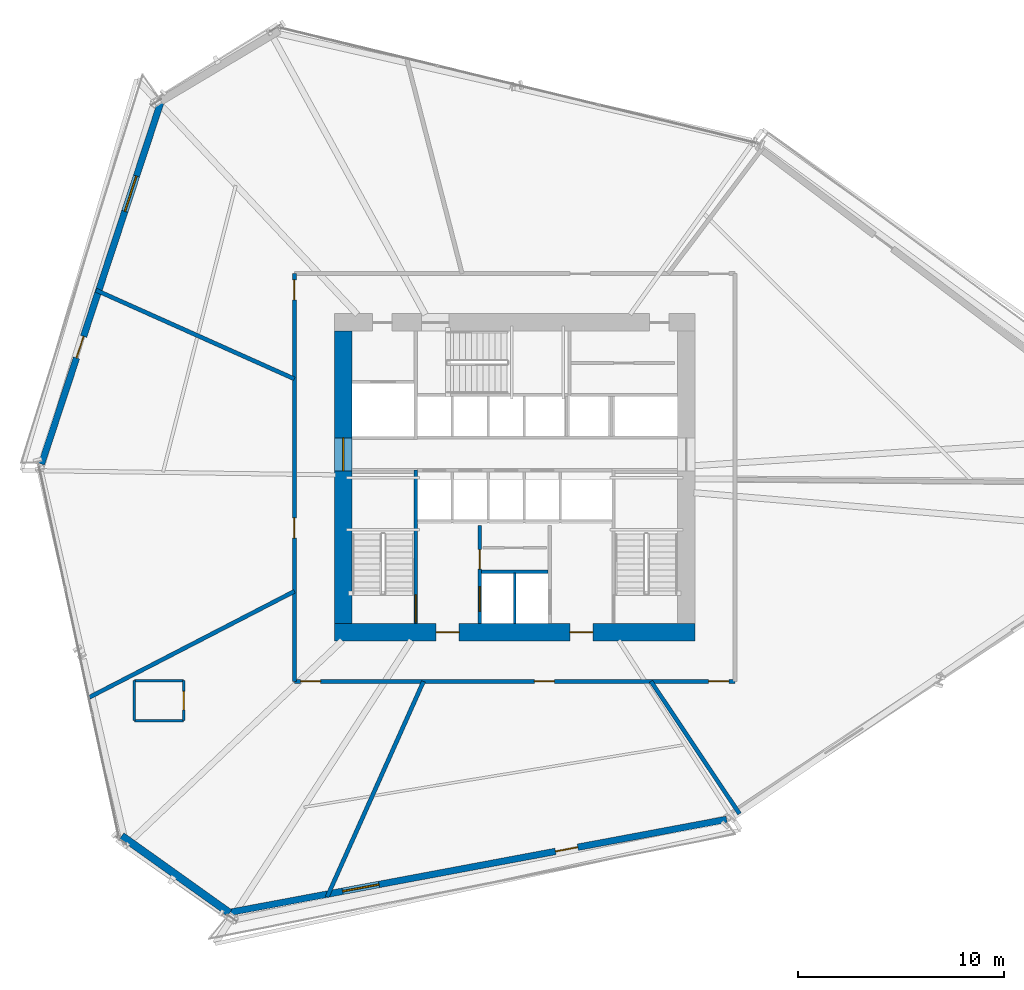
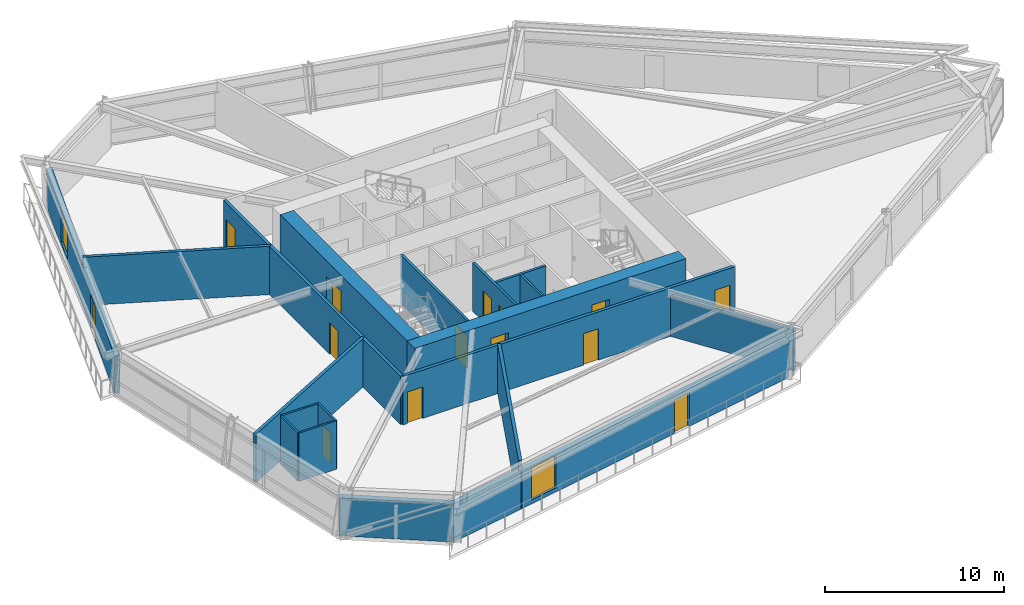
# One storey, part 18 of 24: 19 walls, 14 doors, 2 windows, 16 openings.
"""IFC4 building model written with IfcOpenShell, lengths in metres."""

import ifcopenshell
import ifcopenshell.guid

model = None  # the IFC model being written
_history = None  # IfcOwnerHistory: only IFC2X3 demands one
_inside = {}  # id of a spatial element -> (the spatial element, [elements in it])
_under = {}  # id of a project, library or spatial element -> (it, [spatial elements below it])
_declared = {}  # id of a project -> (the project, [libraries it declares])
_typed = {}  # id of a type object -> (the type object, [elements of that type])
_made_of = {}  # id of a material, layer set ... -> (it, [elements and type objects made of it])


def new_model(schema):
    """Start an empty IFC model of exactly this schema.

    Asked for "IFC4X3", IfcOpenShell would pick the latest addendum, in which some entities
    have other attributes; the version numbers below select the first issue.
    IFC2X3 requires an IfcOwnerHistory on every rooted entity: one is made here for all.
    """
    global model, _history
    if schema == "IFC4X3":
        model = ifcopenshell.file(schema_version=(4, 3, 0, 0))
    else:
        model = ifcopenshell.file(schema=schema)
    _inside.clear()
    _under.clear()
    _declared.clear()
    _typed.clear()
    _made_of.clear()
    _history = None
    if model.schema == "IFC2X3":
        org = make("IfcOrganization", Name="unknown")
        user = make(
            "IfcPersonAndOrganization",
            ThePerson=make("IfcPerson", FamilyName="unknown"),
            TheOrganization=org,
        )
        app = make(
            "IfcApplication",
            ApplicationDeveloper=org,
            Version="unknown",
            ApplicationFullName="unknown",
            ApplicationIdentifier="unknown",
        )
        _history = make(
            "IfcOwnerHistory",
            OwningUser=user,
            OwningApplication=app,
            ChangeAction="ADDED",
            CreationDate=0,
        )
    return model


def make(cls, **values):
    """One entity of the class cls with the attributes given. An attribute that is None is left unset."""
    return model.create_entity(
        cls, **{name: value for name, value in values.items() if value is not None}
    )


def rooted(cls, **values):
    """An entity with a GlobalId (a new one), such as an element, a storey or a relation."""
    return make(cls, GlobalId=ifcopenshell.guid.new(), OwnerHistory=_history, **values)


def si_unit(unit_type, name, prefix=None):
    """IfcSIUnit, for example si_unit("LENGTHUNIT", "METRE", prefix="MILLI")."""
    return make("IfcSIUnit", UnitType=unit_type, Prefix=prefix, Name=name)


def assignment(units):
    """IfcUnitAssignment: the units of a project."""
    return None if units is None else make("IfcUnitAssignment", Units=units)


def point(xyz):
    """IfcCartesianPoint."""
    return None if xyz is None else make("IfcCartesianPoint", Coordinates=xyz)


def direction(xyz):
    """IfcDirection."""
    return None if xyz is None else make("IfcDirection", DirectionRatios=xyz)


def frame(location, z_axis=None, x_axis=None):
    """IfcAxis2Placement3D, a coordinate frame: its origin and axes. An axis left out is left unset."""
    return make(
        "IfcAxis2Placement3D",
        Location=point(location),
        Axis=direction(z_axis),
        RefDirection=direction(x_axis),
    )


def frame_2d(location, x_axis=None):
    """IfcAxis2Placement2D, a coordinate frame in the plane: its origin and x axis."""
    return make(
        "IfcAxis2Placement2D", Location=point(location), RefDirection=direction(x_axis)
    )


def origin():
    """The frame at (0, 0, 0) with its axes left unset."""
    return frame((0.0, 0.0, 0.0))


def place(relative_to, where):
    """IfcLocalPlacement: puts the frame where relative to a parent placement (None: the world)."""
    return make(
        "IfcLocalPlacement", PlacementRelTo=relative_to, RelativePlacement=where
    )


def context(
    kind, dimensions, precision=None, world=None, true_north=None, identifier=None
):
    """IfcGeometricRepresentationContext, for example the 3D "Model" context."""
    return make(
        "IfcGeometricRepresentationContext",
        ContextIdentifier=identifier,
        ContextType=kind,
        CoordinateSpaceDimension=dimensions,
        Precision=precision,
        WorldCoordinateSystem=world,
        TrueNorth=true_north,
    )


def subcontext(parent, identifier, kind, view, scale=None):
    """IfcGeometricRepresentationSubContext, for example "Body" below "Model"."""
    return make(
        "IfcGeometricRepresentationSubContext",
        ContextIdentifier=identifier,
        ContextType=kind,
        ParentContext=parent,
        TargetScale=scale,
        TargetView=view,
    )


def project(units=None, contexts=None):
    """IfcProject with its units and contexts."""
    return rooted(
        "IfcProject",
        Name="project",
        RepresentationContexts=contexts,
        UnitsInContext=assignment(units),
    )


def spatial(cls, under=None, at=None, **own):
    """A site, building, storey or space (cls), placed at a placement, below another one or the project."""
    s = rooted(cls, ObjectPlacement=at, **own)
    if under is not None:
        _under.setdefault(under.id(), (under, []))[1].append(s)
    return s


def profile(cls, at=None, kind="AREA", **sizes):
    """A parametric profile (cls). Its sizes go by their IFC names, for example OverallWidth=200.0."""
    return make(cls, ProfileType=kind, Position=at, **sizes)


def rectangle(**sizes):
    """IfcRectangleProfileDef."""
    return profile("IfcRectangleProfileDef", **sizes)


def extrude(swept, where, along, depth):
    """IfcExtrudedAreaSolid: the profile swept, set in the frame where, extruded along a direction by depth."""
    return make(
        "IfcExtrudedAreaSolid",
        SweptArea=swept,
        Position=where,
        ExtrudedDirection=direction(along),
        Depth=depth,
    )


def shape(context_of_items, identifier, shape_type, items):
    """IfcShapeRepresentation: the items that make up one representation, for example the "Body"."""
    return make(
        "IfcShapeRepresentation",
        ContextOfItems=context_of_items,
        RepresentationIdentifier=identifier,
        RepresentationType=shape_type,
        Items=items,
    )


def source(mapping_origin, context_of_items, identifier, shape_type, items):
    """IfcRepresentationMap: a shape defined once, which mapped items show again and again."""
    return make(
        "IfcRepresentationMap",
        MappingOrigin=mapping_origin,
        MappedRepresentation=shape(context_of_items, identifier, shape_type, items),
    )


def transform(
    local_origin,
    x_axis=None,
    y_axis=None,
    z_axis=None,
    scale=None,
    scale2=None,
    scale3=None,
    uniform=True,
):
    """IfcCartesianTransformationOperator3D, or its non-uniform kind. x_axis, y_axis, z_axis: its Axis1, 2, 3."""
    if uniform:
        return make(
            "IfcCartesianTransformationOperator3D",
            Axis1=direction(x_axis),
            Axis2=direction(y_axis),
            LocalOrigin=point(local_origin),
            Scale=scale,
            Axis3=direction(z_axis),
        )
    return make(
        "IfcCartesianTransformationOperator3DnonUniform",
        Axis1=direction(x_axis),
        Axis2=direction(y_axis),
        LocalOrigin=point(local_origin),
        Scale=scale,
        Axis3=direction(z_axis),
        Scale2=scale2,
        Scale3=scale3,
    )


def mapped(mapping_source, mapping_target):
    """IfcMappedItem: shows the shape of a source again, moved by a transform."""
    return make(
        "IfcMappedItem", MappingSource=mapping_source, MappingTarget=mapping_target
    )


def material(Name=None, Category=None):
    """IfcMaterial."""
    return make("IfcMaterial", Name=Name, Category=Category)


def layer(
    of_material, thickness, ventilated=None, Name=None, Category=None, Priority=None
):
    """IfcMaterialLayer: one layer of a wall or slab, of a material (None: an air gap)."""
    return make(
        "IfcMaterialLayer",
        Material=of_material,
        LayerThickness=thickness,
        IsVentilated=ventilated,
        Name=Name,
        Category=Category,
        Priority=Priority,
    )


def layer_set(layers, Name=None):
    """IfcMaterialLayerSet."""
    return make("IfcMaterialLayerSet", MaterialLayers=layers, LayerSetName=Name)


def made_of(thing, what):
    """Note that an element or type object is made of a material, layer set ...; save() writes the relation."""
    if what is not None:
        _made_of.setdefault(what.id(), (what, []))[1].append(thing)
    return thing


def type_object(cls, material=None, **own):
    """A type object (cls), such as IfcWallType, which elements share."""
    return made_of(rooted(cls, **own), material)


def type_shapes(of_type, sources):
    """Give a type object the sources (RepresentationMaps) that its elements show as mapped items."""
    of_type.RepresentationMaps = sources


def element(
    cls,
    number,
    at=None,
    inside=None,
    cuts=None,
    type_object=None,
    material=None,
    context=None,
    identifier="Body",
    shape_type=None,
    held_by="IfcProductDefinitionShape",
    body=None,
    shapes=None,
    **own,
):
    """One element of the class cls, such as IfcWall. Its Tag is "e" and its number.

    at: its placement. inside: the storey or other place that contains it. cuts: it is an
    opening in that element (IfcRelVoidsElement). A single representation is given by context,
    identifier, shape_type and body (its items); several are given by shapes. held_by: the class
    of the entity that holds the representations. save() writes the other relations.
    """
    e = rooted(cls, Tag="e%d" % number, ObjectPlacement=at, **own)
    if body is not None:
        shapes = [shape(context, identifier, shape_type, body)]
    if shapes is not None:
        e.Representation = make(held_by, Representations=shapes)
    if inside is not None:
        _inside.setdefault(inside.id(), (inside, []))[1].append(e)
    if cuts is not None:
        rooted(
            "IfcRelVoidsElement", RelatingBuildingElement=cuts, RelatedOpeningElement=e
        )
    if type_object is not None:
        _typed.setdefault(type_object.id(), (type_object, []))[1].append(e)
    return made_of(e, material)


def fill(opening, filler):
    """IfcRelFillsElement: the door or window that sits in an opening."""
    return rooted(
        "IfcRelFillsElement",
        RelatingOpeningElement=opening,
        RelatedBuildingElement=filler,
    )


def aggregate(whole, parts):
    """IfcRelAggregates: a whole, such as a stair, and the parts it consists of."""
    return rooted("IfcRelAggregates", RelatingObject=whole, RelatedObjects=parts)


def save(model, path):
    """Write the relations noted so far, then the file.

    IfcRelAggregates (storeys below a building ...), IfcRelContainedInSpatialStructure (elements
    in a storey), IfcRelDefinesByType, IfcRelAssociatesMaterial and IfcRelDeclares: one each for
    every whole, place, type object, material and project.
    """
    for whole, parts in _under.values():
        aggregate(whole, parts)
    for where, things in _inside.values():
        rooted(
            "IfcRelContainedInSpatialStructure",
            RelatedElements=things,
            RelatingStructure=where,
        )
    for kind, things in _typed.values():
        rooted("IfcRelDefinesByType", RelatedObjects=things, RelatingType=kind)
    for what, things in _made_of.values():
        rooted("IfcRelAssociatesMaterial", RelatedObjects=things, RelatingMaterial=what)
    for by, libraries in _declared.values():
        rooted("IfcRelDeclares", RelatingContext=by, RelatedDefinitions=libraries)
    model.write(path)


model = new_model("IFC4")

# Units and contexts
model_context = context("Model", 3, precision=1e-05, world=origin(), true_north=direction((0.0, 1.0)))
body_context = subcontext(model_context, "Body", "Model", "MODEL_VIEW")
ifc_project = project(units=[si_unit("LENGTHUNIT", "METRE"), si_unit("AREAUNIT", "SQUARE_METRE"), si_unit("VOLUMEUNIT", "CUBIC_METRE"), si_unit("PLANEANGLEUNIT", "RADIAN"), si_unit("MASSUNIT", "GRAM", prefix="KILO")], contexts=[model_context])

# Site, building, storey
site_placement = place(None, origin())
site = spatial("IfcSite", under=ifc_project, at=site_placement, CompositionType="ELEMENT")
building_placement = place(site_placement, origin())
building = spatial("IfcBuilding", under=site, at=building_placement, Name="Olszyna Solenne Hotel", CompositionType="ELEMENT")
storey_placement = place(building_placement, frame((0.0, 0.0, 29.300048828125)))
storey = spatial("IfcBuildingStorey", under=building, at=storey_placement, Name="L06", CompositionType="ELEMENT", Elevation=29.300048828125)

# Wall, openings, doors
ifc_material_1 = material(Name="Concrete C60/75", Category="concrete")
ifc_layer_1 = layer(ifc_material_1, 0.85009765625, Name="Concrete C60/75")
ifc_layer_set_1 = layer_set([ifc_layer_1], Name="Concrete C60/75")
wall_type_1 = type_object("IfcWallType", Name="WL-CR850", PredefinedType="SHEAR", material=ifc_layer_set_1)
wall_1_placement = place(storey_placement, frame((46.75, 19.074951171875, 0.0), z_axis=(0.0, 0.0, 1.0), x_axis=(-1.0, 0.0, 0.0)))
wall_1 = element("IfcWall", 1, at=wall_1_placement, inside=storey, type_object=wall_type_1, Name="Core shear wall WL-CR850 CRW-L06-S", PredefinedType="SHEAR", context=body_context, shape_type="SweptSolid", body=[
    extrude(rectangle(XDim=17.5, YDim=0.85009765625, at=frame_2d((8.75, 0.0))), origin(), (0.0, 0.0, 1.0), 3.300048828125),
])
opening_1_placement = place(wall_1_placement, frame((4.949951171875, 0.0, 0.0)))
opening_1 = element("IfcOpeningElement", 2, at=opening_1_placement, cuts=wall_1, Name="Opening FL-L06-1", PredefinedType="OPENING", context=body_context, shape_type="SweptSolid", body=[
    extrude(rectangle(XDim=1.1201171875, YDim=2.25, at=frame_2d((0.56005859375, 1.125))), frame((0.0, 0.43505859375, 0.0), z_axis=(0.0, -1.0, 0.0), x_axis=(1.0, 0.0, 0.0)), (0.0, 0.0, 1.0), 0.8701171875),
])
opening_2_placement = place(wall_1_placement, frame((11.449951171875, 0.0, 0.0)))
opening_2 = element("IfcOpeningElement", 3, at=opening_2_placement, cuts=wall_1, Name="Opening FL-L06-2", PredefinedType="OPENING", context=body_context, shape_type="SweptSolid", body=[
    extrude(rectangle(XDim=1.1201171875, YDim=2.25, at=frame_2d((0.56005859375, 1.125))), frame((0.0, 0.43505859375, 0.0), z_axis=(0.0, -1.0, 0.0), x_axis=(1.0, 0.0, 0.0)), (0.0, 0.0, 1.0), 0.8701171875),
])
ifc_material_2 = material(Name="Steel S355J2", Category="steel")
door_type_1 = type_object("IfcDoorType", Name="DR-FL1", OperationType="NOTDEFINED", PredefinedType="DOOR", material=ifc_material_2)
shared_shape_1 = source(origin(), body_context, "Body", "SweptSolid", [
    extrude(rectangle(XDim=1.1201171875, YDim=2.25, at=frame_2d((0.56005859375, 1.125))), frame((0.0, 0.02490234375, 0.0), z_axis=(0.0, -1.0, 0.0), x_axis=(1.0, 0.0, 0.0)), (0.0, 0.0, 1.0), 0.050048828125),
])
type_shapes(door_type_1, [shared_shape_1])
door_1_placement = place(opening_1_placement, origin())
door_1 = element("IfcDoor", 4, at=door_1_placement, inside=storey, type_object=door_type_1, Name="Firefighting lift lobby smoke door FL-L06-1", OperationType="SINGLE_SWING_LEFT", OverallHeight=2.25, OverallWidth=1.1201171875, PredefinedType="DOOR", context=body_context, shape_type="MappedRepresentation", body=[
    mapped(shared_shape_1, transform((0.0, 0.0, 0.0), x_axis=(1.0, 0.0, 0.0), y_axis=(0.0, 1.0, 0.0), z_axis=(0.0, 0.0, 1.0), scale=1.0)),
])
fill(opening_1, door_1)
door_2_placement = place(opening_2_placement, origin())
door_2 = element("IfcDoor", 5, at=door_2_placement, inside=storey, type_object=door_type_1, Name="Firefighting lift lobby smoke door FL-L06-2", OperationType="SINGLE_SWING_RIGHT", OverallHeight=2.25, OverallWidth=1.1201171875, PredefinedType="DOOR", context=body_context, shape_type="MappedRepresentation", body=[
    mapped(shared_shape_1, transform((0.0, 0.0, 0.0), x_axis=(1.0, 0.0, 0.0), y_axis=(0.0, 1.0, 0.0), z_axis=(0.0, 0.0, 1.0), scale=1.0)),
])
fill(opening_2, door_2)

# Wall, opening, door
wall_2_placement = place(storey_placement, frame((29.675048828125, 19.5, 0.0), z_axis=(0.0, 0.0, 1.0), x_axis=(0.0, 1.0, 0.0)))
wall_2 = element("IfcWall", 6, at=wall_2_placement, inside=storey, type_object=wall_type_1, Name="Core shear wall WL-CR850 CRW-L06-W", PredefinedType="SHEAR", context=body_context, shape_type="SweptSolid", body=[
    extrude(rectangle(XDim=14.199951171875, YDim=0.85009765625, at=frame_2d((7.10009765625, 0.0))), origin(), (0.0, 0.0, 1.0), 3.300048828125),
])
opening_3_placement = place(wall_2_placement, frame((7.419921875, 0.0, 0.0)))
opening_3 = element("IfcOpeningElement", 7, at=opening_3_placement, cuts=wall_2, Name="Opening LHD-L06-W", PredefinedType="OPENING", context=body_context, shape_type="SweptSolid", body=[
    extrude(rectangle(XDim=1.60009765625, YDim=2.199951171875, at=frame_2d((0.800048828125, 1.10009765625))), frame((0.0, 0.43505859375, 0.0), z_axis=(0.0, -1.0, 0.0), x_axis=(1.0, 0.0, 0.0)), (0.0, 0.0, 1.0), 0.8701171875),
])
ifc_material_3 = material(Name="Timber hardwood", Category="wood")
door_type_2 = type_object("IfcDoorType", Name="DR-CR1", OperationType="DOUBLE_DOOR_SINGLE_SWING", PredefinedType="DOOR", material=ifc_material_3)
shared_shape_2 = source(origin(), body_context, "Body", "SweptSolid", [
    extrude(rectangle(XDim=1.60009765625, YDim=2.199951171875, at=frame_2d((0.800048828125, 1.10009765625))), frame((0.0, 0.02490234375, 0.0), z_axis=(0.0, -1.0, 0.0), x_axis=(1.0, 0.0, 0.0)), (0.0, 0.0, 1.0), 0.050048828125),
])
type_shapes(door_type_2, [shared_shape_2])
door_3_placement = place(opening_3_placement, origin())
door_3 = element("IfcDoor", 8, at=door_3_placement, inside=storey, type_object=door_type_2, Name="Passenger lift lobby West fire door LHD-L06-W", OperationType="DOUBLE_DOOR_SINGLE_SWING", OverallHeight=2.199951171875, OverallWidth=1.60009765625, PredefinedType="DOOR", context=body_context, shape_type="MappedRepresentation", body=[
    mapped(shared_shape_2, transform((0.0, 0.0, 0.0), x_axis=(1.0, 0.0, 0.0), y_axis=(0.0, 1.0, 0.0), z_axis=(0.0, 0.0, 1.0), scale=1.0)),
])
fill(opening_3, door_3)

# Wall, openings, door, window
ifc_material_4 = material(Name="Precast concrete C45/55", Category="concrete")
ifc_layer_2 = layer(ifc_material_4, 0.320068359375, Name="Precast concrete C45/55")
ifc_layer_set_2 = layer_set([ifc_layer_2], Name="Precast concrete C45/55")
wall_type_2 = type_object("IfcWallType", Name="WL-EX320", PredefinedType="SOLIDWALL", material=ifc_layer_set_2)
wall_3_placement = place(storey_placement, frame((48.289306640625, 9.999755859375, 0.0), z_axis=(0.0, 0.0, 1.0), x_axis=(-0.9829231884, -0.184016319129, 0.0)))
wall_3 = element("IfcWall", 9, at=wall_3_placement, inside=storey, type_object=wall_type_2, Name="Exterior terracotta-precast frame wall WL-EX320 EW-L06-01", PredefinedType="SOLIDWALL", context=body_context, shape_type="SweptSolid", body=[
    extrude(rectangle(XDim=24.693115234375, YDim=0.320068359375, at=frame_2d((12.3466796875, 0.0))), origin(), (0.0, 0.0, 1.0), 2.592041015625),
])
opening_4_placement = place(wall_3_placement, frame((7.35205078125, 0.0, 0.0)))
opening_4 = element("IfcOpeningElement", 10, at=opening_4_placement, cuts=wall_3, Name="Opening LDG-L06-3", PredefinedType="OPENING", context=body_context, shape_type="SweptSolid", body=[
    extrude(rectangle(XDim=1.10009765625, YDim=2.300048828125, at=frame_2d((0.550048828125, 1.14990234375))), frame((0.0, 0.169921875, 0.0), z_axis=(0.0, -1.0, 0.0), x_axis=(1.0, 0.0, 0.0)), (0.0, 0.0, 1.0), 0.340087890625),
])
opening_5_placement = place(wall_3_placement, frame((17.173095703125, 0.0, 0.27197265625)))
opening_5 = element("IfcOpeningElement", 11, at=opening_5_placement, cuts=wall_3, Name="Opening WN-L06-021", PredefinedType="OPENING", context=body_context, shape_type="SweptSolid", body=[
    extrude(rectangle(XDim=1.800048828125, YDim=2.199951171875, at=frame_2d((0.89990234375, 1.10009765625))), frame((0.0, 0.169921875, 0.0), z_axis=(0.0, -1.0, 0.0), x_axis=(1.0, 0.0, 0.0)), (0.0, 0.0, 1.0), 0.340087890625),
])
ifc_material_5 = material(Name="Anodised bronze aluminium", Category="aluminium")
door_type_3 = type_object("IfcDoorType", Name="DR-LG1", OperationType="NOTDEFINED", PredefinedType="DOOR", material=ifc_material_5)
shared_shape_3 = source(origin(), body_context, "Body", "SweptSolid", [
    extrude(rectangle(XDim=1.10009765625, YDim=2.300048828125, at=frame_2d((0.550048828125, 1.14990234375))), frame((0.0, 0.02490234375, 0.0), z_axis=(0.0, -1.0, 0.0), x_axis=(1.0, 0.0, 0.0)), (0.0, 0.0, 1.0), 0.050048828125),
])
type_shapes(door_type_3, [shared_shape_3])
door_4_placement = place(opening_4_placement, origin())
door_4 = element("IfcDoor", 12, at=door_4_placement, inside=storey, type_object=door_type_3, Name="Exterior loggia balcony door DR-LG1 LDG-L06-3", OperationType="SINGLE_SWING_RIGHT", OverallHeight=2.300048828125, OverallWidth=1.10009765625, PredefinedType="DOOR", context=body_context, shape_type="MappedRepresentation", body=[
    mapped(shared_shape_3, transform((0.0, 0.0, 0.0), x_axis=(1.0, 0.0, 0.0), y_axis=(0.0, 1.0, 0.0), z_axis=(0.0, 0.0, 1.0), scale=1.0)),
])
fill(opening_4, door_4)
ifc_material_6 = material(Name="Low-E triple glazing", Category="glass")
window_type = type_object("IfcWindowType", Name="WN-HT1", PartitioningType="SINGLE_PANEL", PredefinedType="WINDOW", material=ifc_material_6)
shared_shape_4 = source(origin(), body_context, "Body", "SweptSolid", [
    extrude(rectangle(XDim=1.800048828125, YDim=2.199951171875, at=frame_2d((0.89990234375, 1.10009765625))), frame((0.0, 0.030029296875, 0.0), z_axis=(0.0, -1.0, 0.0), x_axis=(1.0, 0.0, 0.0)), (0.0, 0.0, 1.0), 0.06005859375),
])
type_shapes(window_type, [shared_shape_4])
window_1_placement = place(opening_5_placement, origin())
window_1 = element("IfcWindow", 13, at=window_1_placement, inside=storey, type_object=window_type, Name="Loggia room window WN-HT1 WN-L06-021", OverallHeight=2.199951171875, OverallWidth=1.800048828125, PartitioningType="SINGLE_PANEL", PredefinedType="WINDOW", context=body_context, shape_type="MappedRepresentation", body=[
    mapped(shared_shape_4, transform((0.0, 0.0, 0.0), x_axis=(1.0, 0.0, 0.0), y_axis=(0.0, 1.0, 0.0), z_axis=(0.0, 0.0, 1.0), scale=1.0)),
])
fill(opening_5, window_1)

wall_4_placement = place(storey_placement, frame((15.022705078125, 27.24951171875, 0.0), z_axis=(0.0, 0.0, 1.0), x_axis=(0.313250403321, 0.94967056647, 0.0)))
wall_4 = element("IfcWall", 14, at=wall_4_placement, inside=storey, type_object=wall_type_2, Name="Exterior terracotta-precast frame wall WL-EX320 EW-L06-04", PredefinedType="SOLIDWALL", context=body_context, shape_type="SweptSolid", body=[
    extrude(rectangle(XDim=18.680908203125, YDim=0.320068359375, at=frame_2d((9.34033203125, 0.0))), origin(), (0.0, 0.0, 1.0), 2.592041015625),
])
opening_6_placement = place(wall_4_placement, frame((5.427978515625, 0.0, 0.0)))
opening_6 = element("IfcOpeningElement", 15, at=opening_6_placement, cuts=wall_4, Name="Opening LDG-L06-2", PredefinedType="OPENING", context=body_context, shape_type="SweptSolid", body=[
    extrude(rectangle(XDim=1.10009765625, YDim=2.300048828125, at=frame_2d((0.550048828125, 1.14990234375))), frame((0.0, 0.169921875, 0.0), z_axis=(0.0, -1.0, 0.0), x_axis=(1.0, 0.0, 0.0)), (0.0, 0.0, 1.0), 0.340087890625),
])
opening_7_placement = place(wall_4_placement, frame((12.924072265625, 0.0, 0.27197265625)))
opening_7 = element("IfcOpeningElement", 16, at=opening_7_placement, cuts=wall_4, Name="Opening WN-L06-022", PredefinedType="OPENING", context=body_context, shape_type="SweptSolid", body=[
    extrude(rectangle(XDim=1.800048828125, YDim=2.199951171875, at=frame_2d((0.89990234375, 1.10009765625))), frame((0.0, 0.169921875, 0.0), z_axis=(0.0, -1.0, 0.0), x_axis=(1.0, 0.0, 0.0)), (0.0, 0.0, 1.0), 0.340087890625),
])
door_5_placement = place(opening_6_placement, origin())
door_5 = element("IfcDoor", 17, at=door_5_placement, inside=storey, type_object=door_type_3, Name="Exterior loggia balcony door DR-LG1 LDG-L06-2", OperationType="SINGLE_SWING_LEFT", OverallHeight=2.300048828125, OverallWidth=1.10009765625, PredefinedType="DOOR", context=body_context, shape_type="MappedRepresentation", body=[
    mapped(shared_shape_3, transform((0.0, 0.0, 0.0), x_axis=(1.0, 0.0, 0.0), y_axis=(0.0, 1.0, 0.0), z_axis=(0.0, 0.0, 1.0), scale=1.0)),
])
fill(opening_6, door_5)
window_2_placement = place(opening_7_placement, origin())
window_2 = element("IfcWindow", 18, at=window_2_placement, inside=storey, type_object=window_type, Name="Loggia room window WN-HT1 WN-L06-022", OverallHeight=2.199951171875, OverallWidth=1.800048828125, PartitioningType="SINGLE_PANEL", PredefinedType="WINDOW", context=body_context, shape_type="MappedRepresentation", body=[
    mapped(shared_shape_4, transform((0.0, 0.0, 0.0), x_axis=(1.0, 0.0, 0.0), y_axis=(0.0, 1.0, 0.0), z_axis=(0.0, 0.0, 1.0), scale=1.0)),
])
fill(opening_7, window_2)

# Walls
ifc_material_7 = material(Name="Terracotta cladding on precast concrete C45/55", Category="masonry")
ifc_layer_3 = layer(ifc_material_7, 0.3798828125, Name="Terracotta cladding on precast concrete C45/55")
ifc_layer_set_3 = layer_set([ifc_layer_3], Name="Terracotta cladding on precast concrete C45/55")
wall_type_3 = type_object("IfcWallType", Name="WL-EX380", PredefinedType="SOLIDWALL", material=ifc_layer_set_3)
wall_5_placement = place(storey_placement, frame((24.157470703125, 5.453125, 0.0), z_axis=(0.0, 0.0, 1.0), x_axis=(-0.814117588061, 0.58070005408, 0.0)))
element("IfcWall", 19, at=wall_5_placement, inside=storey, type_object=wall_type_3, Name="Exterior terracotta-precast frame wall WL-EX380 EW-L06-02", PredefinedType="SOLIDWALL", context=body_context, shape_type="SweptSolid", body=[
    extrude(rectangle(XDim=6.438720703125, YDim=0.3798828125, at=frame_2d((3.21923828125, 0.0))), origin(), (0.0, 0.0, 1.0), 2.592041015625),
])
ifc_material_8 = material(Name="Acoustic gypsum partition", Category="gypsum")
ifc_layer_4 = layer(ifc_material_8, 0.125, Name="Acoustic gypsum partition")
ifc_layer_set_4 = layer_set([ifc_layer_4], Name="Acoustic gypsum partition")
wall_type_4 = type_object("IfcWallType", Name="WL-PT125", PredefinedType="PARTITIONING", material=ifc_layer_set_4)
wall_6_placement = place(storey_placement, frame((38.0, 19.5, 0.0), z_axis=(0.0, 0.0, 1.0), x_axis=(0.0, 1.0, 0.0)))
element("IfcWall", 20, at=wall_6_placement, inside=storey, type_object=wall_type_4, Name="Core shaft compartment wall CW-L06-FFM", PredefinedType="PARTITIONING", context=body_context, shape_type="SweptSolid", body=[
    extrude(rectangle(XDim=2.4599609375, YDim=0.125, at=frame_2d((1.22998046875, 0.0))), origin(), (0.0, 0.0, 1.0), 3.300048828125),
])

# Wall, opening, door
wall_7_placement = place(storey_placement, frame((21.929931640625, 14.791015625, 0.0), z_axis=(0.0, 0.0, 1.0), x_axis=(0.0, 1.0, 0.0)))
wall_7 = element("IfcWall", 21, at=wall_7_placement, inside=storey, type_object=wall_type_4, Name="Interior acoustic partition WL-PT125 PW-L06-0363", PredefinedType="PARTITIONING", context=body_context, shape_type="SweptSolid", body=[
    extrude(rectangle(XDim=1.949951171875, YDim=0.125, at=frame_2d((0.97509765625, 0.0))), origin(), (0.0, 0.0, 1.0), 3.300048828125),
])
opening_8_placement = place(wall_7_placement, frame((0.52490234375, 0.0, 0.0)))
opening_8 = element("IfcOpeningElement", 22, at=opening_8_placement, cuts=wall_7, Name="Opening DR-L06-0078", PredefinedType="OPENING", context=body_context, shape_type="SweptSolid", body=[
    extrude(rectangle(XDim=0.89990234375, YDim=2.10009765625, at=frame_2d((0.449951171875, 1.050048828125))), frame((0.0, 0.072509765625, 0.0), z_axis=(0.0, -1.0, 0.0), x_axis=(1.0, 0.0, 0.0)), (0.0, 0.0, 1.0), 0.14501953125),
])
door_type_4 = type_object("IfcDoorType", Name="DR-WC1", OperationType="NOTDEFINED", PredefinedType="DOOR", material=ifc_material_3)
shared_shape_5 = source(origin(), body_context, "Body", "SweptSolid", [
    extrude(rectangle(XDim=0.89990234375, YDim=2.10009765625, at=frame_2d((0.449951171875, 1.050048828125))), frame((0.0, 0.02490234375, 0.0), z_axis=(0.0, -1.0, 0.0), x_axis=(1.0, 0.0, 0.0)), (0.0, 0.0, 1.0), 0.050048828125),
])
type_shapes(door_type_4, [shared_shape_5])
door_6_placement = place(opening_8_placement, origin())
door_6 = element("IfcDoor", 23, at=door_6_placement, inside=storey, type_object=door_type_4, Name="En-Suite Bathroom Door DR-L06-0078", OperationType="SINGLE_SWING_LEFT", OverallHeight=2.10009765625, OverallWidth=0.89990234375, PredefinedType="DOOR", context=body_context, shape_type="MappedRepresentation", body=[
    mapped(shared_shape_5, transform((0.0, 0.0, 0.0), x_axis=(1.0, 0.0, 0.0), y_axis=(0.0, 1.0, 0.0), z_axis=(0.0, 0.0, 1.0), scale=1.0)),
])
fill(opening_8, door_6)

# Walls
wall_8_placement = place(storey_placement, frame((21.929931640625, 16.740966796875, 0.0), z_axis=(0.0, 0.0, 1.0), x_axis=(-1.0, 0.0, 0.0)))
element("IfcWall", 24, at=wall_8_placement, inside=storey, type_object=wall_type_4, Name="Interior acoustic partition WL-PT125 PW-L06-0364", PredefinedType="PARTITIONING", context=body_context, shape_type="SweptSolid", body=[
    extrude(rectangle(XDim=2.39990234375, YDim=0.125, at=frame_2d((1.199951171875, 0.0))), origin(), (0.0, 0.0, 1.0), 3.300048828125),
])
wall_9_placement = place(storey_placement, frame((19.530029296875, 16.740966796875, 0.0), z_axis=(0.0, 0.0, 1.0), x_axis=(0.0, -1.0, 0.0)))
element("IfcWall", 25, at=wall_9_placement, inside=storey, type_object=wall_type_4, Name="Interior acoustic partition WL-PT125 PW-L06-0365", PredefinedType="PARTITIONING", context=body_context, shape_type="SweptSolid", body=[
    extrude(rectangle(XDim=1.949951171875, YDim=0.125, at=frame_2d((0.97509765625, 0.0))), origin(), (0.0, 0.0, 1.0), 3.300048828125),
])
wall_10_placement = place(storey_placement, frame((19.530029296875, 14.791015625, 0.0), z_axis=(0.0, 0.0, 1.0), x_axis=(1.0, 0.0, 0.0)))
element("IfcWall", 26, at=wall_10_placement, inside=storey, type_object=wall_type_4, Name="Interior acoustic partition WL-PT125 PW-L06-0366", PredefinedType="PARTITIONING", context=body_context, shape_type="SweptSolid", body=[
    extrude(rectangle(XDim=2.39990234375, YDim=0.125, at=frame_2d((1.199951171875, 0.0))), origin(), (0.0, 0.0, 1.0), 3.300048828125),
])

# Wall, opening, door
ifc_layer_5 = layer(ifc_material_8, 0.159912109375, Name="Acoustic gypsum partition")
ifc_layer_set_5 = layer_set([ifc_layer_5], Name="Acoustic gypsum partition")
wall_type_5 = type_object("IfcWallType", Name="WL-PT160", PredefinedType="PARTITIONING", material=ifc_layer_set_5)
wall_11_placement = place(storey_placement, frame((33.199951171875, 19.5, 0.0), z_axis=(0.0, 0.0, 1.0), x_axis=(0.0, 1.0, 0.0)))
wall_11 = element("IfcWall", 27, at=wall_11_placement, inside=storey, type_object=wall_type_5, Name="Core shaft compartment wall CW-L06-ST1E", PredefinedType="PARTITIONING", context=body_context, shape_type="SweptSolid", body=[
    extrude(rectangle(XDim=7.4599609375, YDim=0.159912109375, at=frame_2d((3.72998046875, 0.0))), origin(), (0.0, 0.0, 1.0), 3.300048828125),
])
opening_9_placement = place(wall_11_placement, frame((0.080078125, 0.0, 0.0)))
opening_9 = element("IfcOpeningElement", 28, at=opening_9_placement, cuts=wall_11, Name="Opening STD-L06-01", PredefinedType="OPENING", context=body_context, shape_type="SweptSolid", body=[
    extrude(rectangle(XDim=1.320068359375, YDim=2.199951171875, at=frame_2d((0.66015625, 1.10009765625))), frame((0.0, 0.08984375, 0.0), z_axis=(0.0, -1.0, 0.0), x_axis=(1.0, 0.0, 0.0)), (0.0, 0.0, 1.0), 0.179931640625),
])
door_type_5 = type_object("IfcDoorType", Name="DR-ST1", OperationType="NOTDEFINED", PredefinedType="DOOR", material=ifc_material_2)
shared_shape_6 = source(origin(), body_context, "Body", "SweptSolid", [
    extrude(rectangle(XDim=1.320068359375, YDim=2.199951171875, at=frame_2d((0.66015625, 1.10009765625))), frame((0.0, 0.02490234375, 0.0), z_axis=(0.0, -1.0, 0.0), x_axis=(1.0, 0.0, 0.0)), (0.0, 0.0, 1.0), 0.050048828125),
])
type_shapes(door_type_5, [shared_shape_6])
door_7_placement = place(opening_9_placement, origin())
door_7 = element("IfcDoor", 29, at=door_7_placement, inside=storey, type_object=door_type_5, Name="Pressurised exit stair ST1 fire door STD-L06-01", OperationType="SINGLE_SWING_LEFT", OverallHeight=2.199951171875, OverallWidth=1.320068359375, PredefinedType="DOOR", context=body_context, shape_type="MappedRepresentation", body=[
    mapped(shared_shape_6, transform((0.0, 0.0, 0.0), x_axis=(1.0, 0.0, 0.0), y_axis=(0.0, 1.0, 0.0), z_axis=(0.0, 0.0, 1.0), scale=1.0)),
])
fill(opening_9, door_7)

# Wall, openings, doors
wall_12_placement = place(storey_placement, frame((36.300048828125, 19.5, 0.0), z_axis=(0.0, 0.0, 1.0), x_axis=(0.0, 1.0, 0.0)))
wall_12 = element("IfcWall", 30, at=wall_12_placement, inside=storey, type_object=wall_type_5, Name="Core shaft compartment wall CW-L06-FF1W", PredefinedType="PARTITIONING", context=body_context, shape_type="SweptSolid", body=[
    extrude(rectangle(XDim=4.780029296875, YDim=0.159912109375, at=frame_2d((2.39013671875, 0.0))), origin(), (0.0, 0.0, 1.0), 3.300048828125),
])
opening_10_placement = place(wall_12_placement, frame((0.60009765625, 0.0, 0.0)))
opening_10 = element("IfcOpeningElement", 31, at=opening_10_placement, cuts=wall_12, Name="Opening LD-L06-FF1", PredefinedType="OPENING", context=body_context, shape_type="SweptSolid", body=[
    extrude(rectangle(XDim=1.199951171875, YDim=2.199951171875, at=frame_2d((0.60009765625, 1.10009765625))), frame((0.0, 0.08984375, 0.0), z_axis=(0.0, -1.0, 0.0), x_axis=(1.0, 0.0, 0.0)), (0.0, 0.0, 1.0), 0.179931640625),
])
opening_11_placement = place(wall_12_placement, frame((2.64990234375, 0.0, 0.0)))
opening_11 = element("IfcOpeningElement", 32, at=opening_11_placement, cuts=wall_12, Name="Opening SVD-L06-SMK", PredefinedType="OPENING", context=body_context, shape_type="SweptSolid", body=[
    extrude(rectangle(XDim=0.949951171875, YDim=2.10009765625, at=frame_2d((0.47509765625, 1.050048828125))), frame((0.0, 0.08984375, 0.0), z_axis=(0.0, -1.0, 0.0), x_axis=(1.0, 0.0, 0.0)), (0.0, 0.0, 1.0), 0.179931640625),
])
door_type_6 = type_object("IfcDoorType", Name="DR-SV1", OperationType="NOTDEFINED", PredefinedType="DOOR", material=ifc_material_2)
shared_shape_7 = source(origin(), body_context, "Body", "SweptSolid", [
    extrude(rectangle(XDim=0.949951171875, YDim=2.10009765625, at=frame_2d((0.47509765625, 1.050048828125))), frame((0.0, 0.02490234375, 0.0), z_axis=(0.0, -1.0, 0.0), x_axis=(1.0, 0.0, 0.0)), (0.0, 0.0, 1.0), 0.050048828125),
])
type_shapes(door_type_6, [shared_shape_7])
door_8_placement = place(opening_11_placement, origin())
door_8 = element("IfcDoor", 33, at=door_8_placement, inside=storey, type_object=door_type_6, Name="Valet and core service room door SVD-L06-SMK", OperationType="SINGLE_SWING_LEFT", OverallHeight=2.10009765625, OverallWidth=0.949951171875, PredefinedType="DOOR", context=body_context, shape_type="MappedRepresentation", body=[
    mapped(shared_shape_7, transform((0.0, 0.0, 0.0), x_axis=(1.0, 0.0, 0.0), y_axis=(0.0, 1.0, 0.0), z_axis=(0.0, 0.0, 1.0), scale=1.0)),
])
fill(opening_11, door_8)
door_type_7 = type_object("IfcDoorType", Name="LD-FF1", OperationType="DOUBLE_DOOR_SLIDING", PredefinedType="DOOR", material=ifc_material_2)
shared_shape_8 = source(origin(), body_context, "Body", "SweptSolid", [
    extrude(rectangle(XDim=1.199951171875, YDim=2.199951171875, at=frame_2d((0.60009765625, 1.10009765625))), frame((0.0, 0.02490234375, 0.0), z_axis=(0.0, -1.0, 0.0), x_axis=(1.0, 0.0, 0.0)), (0.0, 0.0, 1.0), 0.050048828125),
])
type_shapes(door_type_7, [shared_shape_8])
door_9_placement = place(opening_10_placement, origin())
door_9 = element("IfcDoor", 34, at=door_9_placement, inside=storey, type_object=door_type_7, Name="Firefighters lift FF1 sliding landing door LD-L06-FF1", OperationType="DOUBLE_DOOR_SLIDING", OverallHeight=2.199951171875, OverallWidth=1.199951171875, PredefinedType="DOOR", context=body_context, shape_type="MappedRepresentation", body=[
    mapped(shared_shape_8, transform((0.0, 0.0, 0.0), x_axis=(1.0, 0.0, 0.0), y_axis=(0.0, 1.0, 0.0), z_axis=(0.0, 0.0, 1.0), scale=1.0)),
])
fill(opening_10, door_9)

# Walls
wall_13_placement = place(storey_placement, frame((36.3798828125, 22.02001953125, 0.0), z_axis=(0.0, 0.0, 1.0), x_axis=(1.0, 0.0, 0.0)))
element("IfcWall", 35, at=wall_13_placement, inside=storey, type_object=wall_type_5, Name="Core shaft compartment wall CW-L06-FFN", PredefinedType="PARTITIONING", context=body_context, shape_type="SweptSolid", body=[
    extrude(rectangle(XDim=3.240234375, YDim=0.159912109375, at=frame_2d((1.6201171875, 0.0))), origin(), (0.0, 0.0, 1.0), 3.300048828125),
])
ifc_layer_6 = layer(ifc_material_8, 0.199951171875, Name="Acoustic gypsum partition")
ifc_layer_set_6 = layer_set([ifc_layer_6], Name="Acoustic gypsum partition")
wall_type_6 = type_object("IfcWallType", Name="WL-PT200", PredefinedType="PARTITIONING", material=ifc_layer_set_6)
wall_14_placement = place(storey_placement, frame((33.571533203125, 16.699951171875, 0.0), z_axis=(0.0, 0.0, 1.0), x_axis=(-0.40832870075, -0.912834964352, 0.0)))
element("IfcWall", 36, at=wall_14_placement, inside=storey, type_object=wall_type_6, Name="Interior acoustic partition WL-PT200 PW-L06-0356", PredefinedType="PARTITIONING", context=body_context, shape_type="SweptSolid", body=[
    extrude(rectangle(XDim=11.463623046875, YDim=0.199951171875, at=frame_2d((5.73193359375, 0.0))), origin(), (0.0, 0.0, 1.0), 3.300048828125),
])
wall_15_placement = place(storey_placement, frame((44.61669921875, 16.699951171875, 0.0), z_axis=(0.0, 0.0, 1.0), x_axis=(0.555676244504, -0.831398767917, 0.0)))
element("IfcWall", 37, at=wall_15_placement, inside=storey, type_object=wall_type_6, Name="Interior acoustic partition WL-PT200 PW-L06-0357", PredefinedType="PARTITIONING", context=body_context, shape_type="SweptSolid", body=[
    extrude(rectangle(XDim=7.73193359375, YDim=0.199951171875, at=frame_2d((3.865966796875, 0.0))), origin(), (0.0, 0.0, 1.0), 2.784912109375),
])
wall_16_placement = place(storey_placement, frame((27.300048828125, 31.38623046875, 0.0), z_axis=(0.0, 0.0, 1.0), x_axis=(-0.912828695445, 0.408342714851, 0.0)))
element("IfcWall", 38, at=wall_16_placement, inside=storey, type_object=wall_type_6, Name="Interior acoustic partition WL-PT200 PW-L06-0361", PredefinedType="PARTITIONING", context=body_context, shape_type="SweptSolid", body=[
    extrude(rectangle(XDim=10.54833984375, YDim=0.199951171875, at=frame_2d((5.274169921875, 0.0))), origin(), (0.0, 0.0, 1.0), 3.300048828125),
])
wall_17_placement = place(storey_placement, frame((27.300048828125, 21.070556640625, 0.0), z_axis=(0.0, 0.0, 1.0), x_axis=(-0.888387527234, -0.459094327404, 0.0)))
element("IfcWall", 39, at=wall_17_placement, inside=storey, type_object=wall_type_6, Name="Interior acoustic partition WL-PT200 PW-L06-0362", PredefinedType="PARTITIONING", context=body_context, shape_type="SweptSolid", body=[
    extrude(rectangle(XDim=11.198974609375, YDim=0.199951171875, at=frame_2d((5.599609375, 0.0))), origin(), (0.0, 0.0, 1.0), 3.300048828125),
])

# Wall, openings, doors
wall_18_placement = place(storey_placement, frame((27.300048828125, 16.699951171875, 0.0), z_axis=(0.0, 0.0, 1.0), x_axis=(1.0, 0.0, 0.0)))
wall_18 = element("IfcWall", 40, at=wall_18_placement, inside=storey, type_object=wall_type_6, Name="Interior acoustic partition WL-PT200 PW-L06-0367", PredefinedType="PARTITIONING", context=body_context, shape_type="SweptSolid", body=[
    extrude(rectangle(XDim=21.39990234375, YDim=0.199951171875, at=frame_2d((10.699951171875, 0.0))), origin(), (0.0, 0.0, 1.0), 3.300048828125),
])
opening_12_placement = place(wall_18_placement, frame((11.65087890625, 0.0, 0.0)))
opening_12 = element("IfcOpeningElement", 41, at=opening_12_placement, cuts=wall_18, Name="Opening DR-L06-0079", PredefinedType="OPENING", context=body_context, shape_type="SweptSolid", body=[
    extrude(rectangle(XDim=0.97998046875, YDim=2.14990234375, at=frame_2d((0.489990234375, 1.074951171875))), frame((0.0, 0.10986328125, 0.0), z_axis=(0.0, -1.0, 0.0), x_axis=(1.0, 0.0, 0.0)), (0.0, 0.0, 1.0), 0.219970703125),
])
opening_13_placement = place(wall_18_placement, frame((20.1201171875, 0.0, 0.0)))
opening_13 = element("IfcOpeningElement", 42, at=opening_13_placement, cuts=wall_18, Name="Opening DR-L06-0080", PredefinedType="OPENING", context=body_context, shape_type="SweptSolid", body=[
    extrude(rectangle(XDim=0.97998046875, YDim=2.14990234375, at=frame_2d((0.489990234375, 1.074951171875))), frame((0.0, 0.10986328125, 0.0), z_axis=(0.0, -1.0, 0.0), x_axis=(1.0, 0.0, 0.0)), (0.0, 0.0, 1.0), 0.219970703125),
])
opening_14_placement = place(wall_18_placement, frame((0.300048828125, 0.0, 0.0)))
opening_14 = element("IfcOpeningElement", 43, at=opening_14_placement, cuts=wall_18, Name="Opening DR-L06-0081", PredefinedType="OPENING", context=body_context, shape_type="SweptSolid", body=[
    extrude(rectangle(XDim=0.97998046875, YDim=2.14990234375, at=frame_2d((0.489990234375, 1.074951171875))), frame((0.0, 0.10986328125, 0.0), z_axis=(0.0, -1.0, 0.0), x_axis=(1.0, 0.0, 0.0)), (0.0, 0.0, 1.0), 0.219970703125),
])
door_type_8 = type_object("IfcDoorType", Name="DR-RM1", OperationType="NOTDEFINED", PredefinedType="DOOR", material=ifc_material_3)
shared_shape_9 = source(origin(), body_context, "Body", "SweptSolid", [
    extrude(rectangle(XDim=0.97998046875, YDim=2.14990234375, at=frame_2d((0.489990234375, 1.074951171875))), frame((0.0, 0.02490234375, 0.0), z_axis=(0.0, -1.0, 0.0), x_axis=(1.0, 0.0, 0.0)), (0.0, 0.0, 1.0), 0.050048828125),
])
type_shapes(door_type_8, [shared_shape_9])
door_10_placement = place(opening_12_placement, origin())
door_10 = element("IfcDoor", 44, at=door_10_placement, inside=storey, type_object=door_type_8, Name="Wellness Spa Studio Entrance Door DR-L06-0079", OperationType="SINGLE_SWING_LEFT", OverallHeight=2.14990234375, OverallWidth=0.97998046875, PredefinedType="DOOR", context=body_context, shape_type="MappedRepresentation", body=[
    mapped(shared_shape_9, transform((0.0, 0.0, 0.0), x_axis=(1.0, 0.0, 0.0), y_axis=(0.0, 1.0, 0.0), z_axis=(0.0, 0.0, 1.0), scale=1.0)),
])
fill(opening_12, door_10)
door_11_placement = place(opening_13_placement, origin())
door_11 = element("IfcDoor", 45, at=door_11_placement, inside=storey, type_object=door_type_8, Name="Wellness Spa Studio Entrance Door DR-L06-0080", OperationType="SINGLE_SWING_RIGHT", OverallHeight=2.14990234375, OverallWidth=0.97998046875, PredefinedType="DOOR", context=body_context, shape_type="MappedRepresentation", body=[
    mapped(shared_shape_9, transform((0.0, 0.0, 0.0), x_axis=(1.0, 0.0, 0.0), y_axis=(0.0, 1.0, 0.0), z_axis=(0.0, 0.0, 1.0), scale=1.0)),
])
fill(opening_13, door_11)
door_12_placement = place(opening_14_placement, origin())
door_12 = element("IfcDoor", 46, at=door_12_placement, inside=storey, type_object=door_type_8, Name="Executive Reading Salon Entrance Door DR-L06-0081", OperationType="SINGLE_SWING_LEFT", OverallHeight=2.14990234375, OverallWidth=0.97998046875, PredefinedType="DOOR", context=body_context, shape_type="MappedRepresentation", body=[
    mapped(shared_shape_9, transform((0.0, 0.0, 0.0), x_axis=(1.0, 0.0, 0.0), y_axis=(0.0, 1.0, 0.0), z_axis=(0.0, 0.0, 1.0), scale=1.0)),
])
fill(opening_14, door_12)

wall_19_placement = place(storey_placement, frame((27.300048828125, 16.699951171875, 0.0), z_axis=(0.0, 0.0, 1.0), x_axis=(0.0, 1.0, 0.0)))
wall_19 = element("IfcWall", 47, at=wall_19_placement, inside=storey, type_object=wall_type_6, Name="Interior acoustic partition WL-PT200 PW-L06-0368", PredefinedType="PARTITIONING", context=body_context, shape_type="SweptSolid", body=[
    extrude(rectangle(XDim=19.800048828125, YDim=0.199951171875, at=frame_2d((9.89990234375, 0.0))), origin(), (0.0, 0.0, 1.0), 3.300048828125),
])
opening_15_placement = place(wall_19_placement, frame((18.52001953125, 0.0, 0.0)))
opening_15 = element("IfcOpeningElement", 48, at=opening_15_placement, cuts=wall_19, Name="Opening DR-L06-0082", PredefinedType="OPENING", context=body_context, shape_type="SweptSolid", body=[
    extrude(rectangle(XDim=0.97998046875, YDim=2.14990234375, at=frame_2d((0.489990234375, 1.074951171875))), frame((0.0, 0.10986328125, 0.0), z_axis=(0.0, -1.0, 0.0), x_axis=(1.0, 0.0, 0.0)), (0.0, 0.0, 1.0), 0.219970703125),
])
opening_16_placement = place(wall_19_placement, frame((6.9599609375, 0.0, 0.0)))
opening_16 = element("IfcOpeningElement", 49, at=opening_16_placement, cuts=wall_19, Name="Opening DR-L06-0083", PredefinedType="OPENING", context=body_context, shape_type="SweptSolid", body=[
    extrude(rectangle(XDim=0.97998046875, YDim=2.14990234375, at=frame_2d((0.489990234375, 1.074951171875))), frame((0.0, 0.10986328125, 0.0), z_axis=(0.0, -1.0, 0.0), x_axis=(1.0, 0.0, 0.0)), (0.0, 0.0, 1.0), 0.219970703125),
])
door_13_placement = place(opening_15_placement, origin())
door_13 = element("IfcDoor", 50, at=door_13_placement, inside=storey, type_object=door_type_8, Name="Sommelier Tasting Lounge Entrance Door DR-L06-0082", OperationType="SINGLE_SWING_LEFT", OverallHeight=2.14990234375, OverallWidth=0.97998046875, PredefinedType="DOOR", context=body_context, shape_type="MappedRepresentation", body=[
    mapped(shared_shape_9, transform((0.0, 0.0, 0.0), x_axis=(1.0, 0.0, 0.0), y_axis=(0.0, 1.0, 0.0), z_axis=(0.0, 0.0, 1.0), scale=1.0)),
])
fill(opening_15, door_13)
door_14_placement = place(opening_16_placement, origin())
door_14 = element("IfcDoor", 51, at=door_14_placement, inside=storey, type_object=door_type_8, Name="Breakfast Tasting Salon Entrance Door DR-L06-0083", OperationType="SINGLE_SWING_RIGHT", OverallHeight=2.14990234375, OverallWidth=0.97998046875, PredefinedType="DOOR", context=body_context, shape_type="MappedRepresentation", body=[
    mapped(shared_shape_9, transform((0.0, 0.0, 0.0), x_axis=(1.0, 0.0, 0.0), y_axis=(0.0, 1.0, 0.0), z_axis=(0.0, 0.0, 1.0), scale=1.0)),
])
fill(opening_16, door_14)

save(model, "model.ifc")
